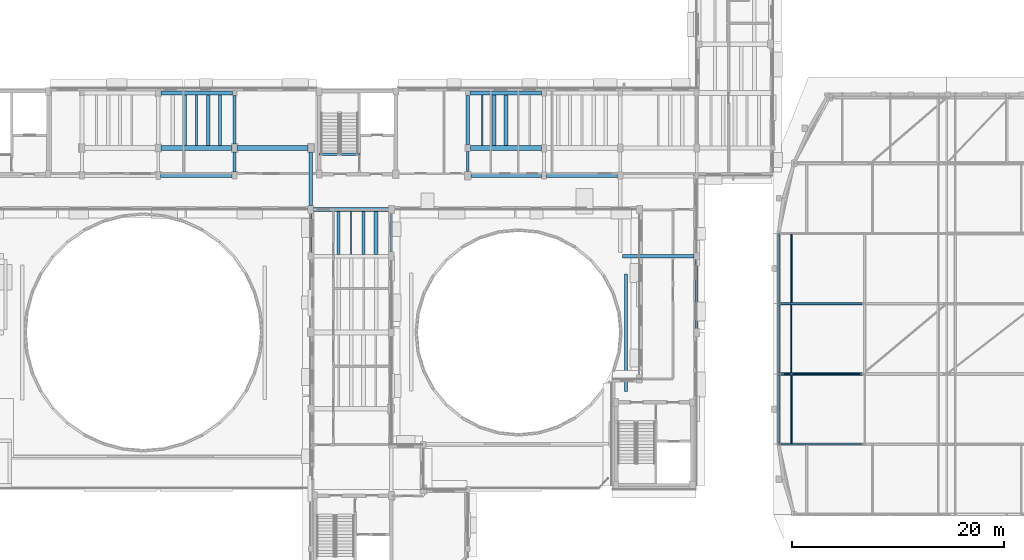
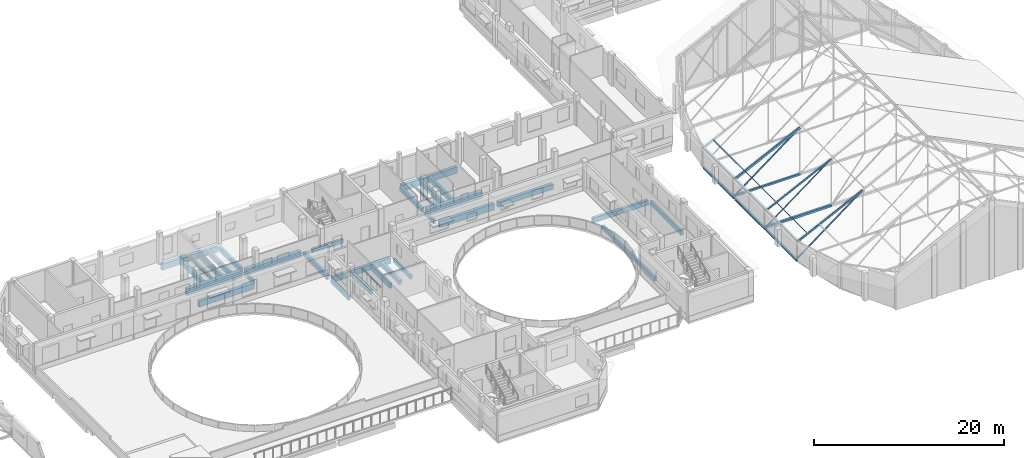
# One storey, part 25 of 78: 34 beams, 14 members.
"""IFC4 building model written with IfcOpenShell, lengths in metres."""

from ifc_helpers import new_model, si_unit, direction, frame, origin, origin_2d, place, context, subcontext, project, spatial, rectangle, hollow_rectangle, i_section, extrude, material, material_profile, profile_set, type_object, element, save


model = new_model("IFC4")

# Units and contexts
model_context = context("Model", 3, precision=1e-05, world=origin(), true_north=direction((0.0, 1.0)))
body_context = subcontext(model_context, "Body", "Model", "MODEL_VIEW")
ifc_project = project(units=[si_unit("LENGTHUNIT", "METRE"), si_unit("AREAUNIT", "SQUARE_METRE"), si_unit("VOLUMEUNIT", "CUBIC_METRE"), si_unit("PLANEANGLEUNIT", "RADIAN"), si_unit("MASSUNIT", "GRAM", prefix="KILO")], contexts=[model_context])

# Site, building, storey
site_placement = place(None, origin())
site = spatial("IfcSite", under=ifc_project, at=site_placement, CompositionType="ELEMENT")
building_placement = place(site_placement, origin())
building = spatial("IfcBuilding", under=site, at=building_placement, Name="Kelanivale Promenade Academy", CompositionType="ELEMENT")
storey_placement = place(building_placement, frame((0.0, 0.0, 16.199951171875)))
storey = spatial("IfcBuildingStorey", under=building, at=storey_placement, Name="L04", CompositionType="ELEMENT", Elevation=16.199951171875)

# Beams
ifc_material_1 = material(Name="Concrete C35/45", Category="concrete")
ifc_material_profile_1 = material_profile(ifc_material_1, rectangle(XDim=0.39990234375, YDim=0.64990234375, at=origin_2d()), Name="RC-BM 400x650")
ifc_profile_set_1 = profile_set([ifc_material_profile_1], Name="Concrete C35/45")
beam_type_1 = type_object("IfcBeamType", Name="BM-01 RC-BM 400x650", PredefinedType="BEAM", material=ifc_profile_set_1)
beam_1_placement = place(storey_placement, frame((101.445068359375, 71.60009765625, -0.544921875), z_axis=(1.0, 0.0, 0.0), x_axis=(0.0, 1.0, 0.0)))
element("IfcBeam", 1, at=beam_1_placement, inside=storey, type_object=beam_type_1, Name="L04 girder BM-01", PredefinedType="BEAM", context=body_context, shape_type="SweptSolid", body=[
    extrude(rectangle(XDim=0.39990234375, YDim=0.64990234375, at=origin_2d()), origin(), (0.0, 0.0, 1.0), 6.7099609375),
])
ifc_material_profile_2 = material_profile(ifc_material_1, rectangle(XDim=0.449951171875, YDim=0.85009765625, at=origin_2d()), Name="RC-BM 450x850")
ifc_profile_set_2 = profile_set([ifc_material_profile_2], Name="Concrete C35/45")
beam_type_2 = type_object("IfcBeamType", Name="BM-05 RC-BM 450x850", PredefinedType="BEAM", material=ifc_profile_set_2)
beam_2_placement = place(storey_placement, frame((65.044921875, 74.199951171875, -0.64501953125), z_axis=(1.0, 0.0, 0.0), x_axis=(0.0, 1.0, 0.0)))
element("IfcBeam", 2, at=beam_2_placement, inside=storey, type_object=beam_type_2, Name="L04 girder BM-05", PredefinedType="BEAM", context=body_context, shape_type="SweptSolid", body=[
    extrude(rectangle(XDim=0.449951171875, YDim=0.85009765625, at=origin_2d()), origin(), (0.0, 0.0, 1.0), 6.7099609375),
])
ifc_material_profile_3 = material_profile(ifc_material_1, rectangle(XDim=0.5, YDim=0.75, at=origin_2d()), Name="RC-BM 500x750")
ifc_profile_set_3 = profile_set([ifc_material_profile_3], Name="Concrete C35/45")
beam_type_3 = type_object("IfcBeamType", Name="BM-06 RC-BM 500x750", PredefinedType="BEAM", material=ifc_profile_set_3)
beam_3_placement = place(storey_placement, frame((72.2451171875, 74.199951171875, -0.594970703125), z_axis=(1.0, 0.0, 0.0), x_axis=(0.0, 1.0, 0.0)))
element("IfcBeam", 3, at=beam_3_placement, inside=storey, type_object=beam_type_3, Name="L04 girder BM-06", PredefinedType="BEAM", context=body_context, shape_type="SweptSolid", body=[
    extrude(rectangle(XDim=0.5, YDim=0.75, at=origin_2d()), origin(), (0.0, 0.0, 1.0), 6.684814453125),
])
ifc_material_profile_4 = material_profile(ifc_material_1, rectangle(XDim=0.5, YDim=0.85009765625, at=origin_2d()), Name="RC-BM 500x850")
ifc_profile_set_4 = profile_set([ifc_material_profile_4], Name="Concrete C35/45")
beam_type_4 = type_object("IfcBeamType", Name="BM-07 RC-BM 500x850", PredefinedType="BEAM", material=ifc_profile_set_4)
beam_4_placement = place(storey_placement, frame((94.2451171875, 74.199951171875, -0.64501953125), z_axis=(1.0, 0.0, 0.0), x_axis=(0.0, 1.0, 0.0)))
element("IfcBeam", 4, at=beam_4_placement, inside=storey, type_object=beam_type_4, Name="L04 girder BM-07", PredefinedType="BEAM", context=body_context, shape_type="SweptSolid", body=[
    extrude(rectangle(XDim=0.5, YDim=0.85009765625, at=origin_2d()), origin(), (0.0, 0.0, 1.0), 6.73486328125),
])
ifc_material_profile_5 = material_profile(ifc_material_1, rectangle(XDim=0.35009765625, YDim=0.60009765625, at=origin_2d()), Name="RC-BM 350x600")
ifc_profile_set_5 = profile_set([ifc_material_profile_5], Name="Concrete C35/45")
beam_type_5 = type_object("IfcBeamType", Name="BM-09 RC-BM 350x600", PredefinedType="BEAM", material=ifc_profile_set_5)
beam_5_placement = place(storey_placement, frame((108.6201171875, 64.0, -0.52001953125), z_axis=(1.0, 0.0, 0.0), x_axis=(0.0, 1.0, 0.0)))
element("IfcBeam", 5, at=beam_5_placement, inside=storey, type_object=beam_type_5, Name="L04 girder BM-09", PredefinedType="BEAM", context=body_context, shape_type="SweptSolid", body=[
    extrude(rectangle(XDim=0.35009765625, YDim=0.60009765625, at=origin_2d()), origin(), (0.0, 0.0, 1.0), 6.73486328125),
])
ifc_material_profile_6 = material_profile(ifc_material_1, rectangle(XDim=0.35009765625, YDim=0.699951171875, at=origin_2d()), Name="RC-BM 350x700")
ifc_profile_set_6 = profile_set([ifc_material_profile_6], Name="Concrete C35/45")
beam_type_6 = type_object("IfcBeamType", Name="BM-11 RC-BM 350x700", PredefinedType="BEAM", material=ifc_profile_set_6)
beam_6_placement = place(storey_placement, frame((79.445068359375, 68.39990234375, -0.570068359375), z_axis=(1.0, 0.0, 0.0), x_axis=(0.0, 1.0, 0.0)))
element("IfcBeam", 6, at=beam_6_placement, inside=storey, type_object=beam_type_6, Name="L04 girder BM-11", PredefinedType="BEAM", context=body_context, shape_type="SweptSolid", body=[
    extrude(rectangle(XDim=0.35009765625, YDim=0.699951171875, at=origin_2d()), origin(), (0.0, 0.0, 1.0), 7.0849609375),
])
ifc_material_profile_7 = material_profile(ifc_material_1, rectangle(XDim=0.39990234375, YDim=0.75, at=origin_2d()), Name="RC-BM 400x750")
ifc_profile_set_7 = profile_set([ifc_material_profile_7], Name="Concrete C35/45")
beam_type_7 = type_object("IfcBeamType", Name="BM-13 RC-BM 400x750", PredefinedType="BEAM", material=ifc_profile_set_7)
beam_7_placement = place(storey_placement, frame((65.02001953125, 71.60009765625, -0.594970703125), z_axis=(1.0, 0.0, 0.0), x_axis=(0.0, 1.0, 0.0)))
element("IfcBeam", 7, at=beam_7_placement, inside=storey, type_object=beam_type_7, Name="L04 girder BM-13", PredefinedType="BEAM", context=body_context, shape_type="SweptSolid", body=[
    extrude(rectangle(XDim=0.39990234375, YDim=0.75, at=origin_2d()), origin(), (0.0, 0.0, 1.0), 6.73486328125),
])
beam_8_placement = place(storey_placement, frame((65.044921875, 79.39990234375, -0.594970703125), z_axis=(1.0, 0.0, 0.0), x_axis=(0.0, 1.0, 0.0)))
element("IfcBeam", 8, at=beam_8_placement, inside=storey, type_object=beam_type_7, Name="L04 girder BM-13", PredefinedType="BEAM", context=body_context, shape_type="SweptSolid", body=[
    extrude(rectangle(XDim=0.39990234375, YDim=0.75, at=origin_2d()), origin(), (0.0, 0.0, 1.0), 6.78515625),
])
ifc_material_profile_8 = material_profile(ifc_material_1, rectangle(XDim=0.39990234375, YDim=0.800048828125, at=origin_2d()), Name="RC-BM 400x800")
ifc_profile_set_8 = profile_set([ifc_material_profile_8], Name="Concrete C35/45")
beam_type_8 = type_object("IfcBeamType", Name="BM-14 RC-BM 400x800", PredefinedType="BEAM", material=ifc_profile_set_8)
beam_9_placement = place(storey_placement, frame((94.294921875, 71.60009765625, -0.619873046875), z_axis=(1.0, 0.0, 0.0), x_axis=(0.0, 1.0, 0.0)))
element("IfcBeam", 9, at=beam_9_placement, inside=storey, type_object=beam_type_8, Name="L04 girder BM-14", PredefinedType="BEAM", context=body_context, shape_type="SweptSolid", body=[
    extrude(rectangle(XDim=0.39990234375, YDim=0.800048828125, at=origin_2d()), origin(), (0.0, 0.0, 1.0), 6.66015625),
])
beam_10_placement = place(storey_placement, frame((94.195068359375, 79.39990234375, -0.619873046875), z_axis=(1.0, 0.0, 0.0), x_axis=(0.0, 1.0, 0.0)))
element("IfcBeam", 10, at=beam_10_placement, inside=storey, type_object=beam_type_8, Name="L04 girder BM-14", PredefinedType="BEAM", context=body_context, shape_type="SweptSolid", body=[
    extrude(rectangle(XDim=0.39990234375, YDim=0.800048828125, at=origin_2d()), origin(), (0.0, 0.0, 1.0), 6.784912109375),
])
ifc_material_profile_9 = material_profile(ifc_material_1, rectangle(XDim=0.300048828125, YDim=0.5, at=origin_2d()), Name="RC-BM 300x500")
ifc_profile_set_9 = profile_set([ifc_material_profile_9], Name="Concrete C35/45")
beam_type_9 = type_object("IfcBeamType", Name="JS-01 RC-BM 300x500", PredefinedType="JOIST", material=ifc_profile_set_9)
beam_11_placement = place(storey_placement, frame((94.0, 74.52001953125, -0.469970703125), z_axis=(0.0, 1.0, 0.0), x_axis=(-1.0, 0.0, 0.0)))
element("IfcBeam", 11, at=beam_11_placement, inside=storey, type_object=beam_type_9, Name="L04 beam JS-01", PredefinedType="JOIST", context=body_context, shape_type="SweptSolid", body=[
    extrude(rectangle(XDim=0.300048828125, YDim=0.5, at=origin_2d()), origin(), (0.0, 0.0, 1.0), 4.635009765625),
])
beam_12_placement = place(storey_placement, frame((108.931884765625, 51.2451171875, -0.489990234375), z_axis=(0.0, 1.0, 0.0), x_axis=(-1.0, 0.0, 0.0)))
element("IfcBeam", 12, at=beam_12_placement, inside=storey, type_object=beam_type_9, Name="L04 beam JS-01", PredefinedType="JOIST", context=body_context, shape_type="SweptSolid", body=[
    extrude(rectangle(XDim=0.300048828125, YDim=0.5, at=origin_2d()), origin(), (0.0, 0.0, 1.0), 11.0849609375),
])
ifc_material_profile_10 = material_profile(ifc_material_1, rectangle(XDim=0.300048828125, YDim=0.550048828125, at=origin_2d()), Name="RC-BM 300x550")
ifc_profile_set_10 = profile_set([ifc_material_profile_10], Name="Concrete C35/45")
beam_type_10 = type_object("IfcBeamType", Name="JS-02 RC-BM 300x550", PredefinedType="JOIST", material=ifc_profile_set_10)
beam_13_placement = place(storey_placement, frame((115.60009765625, 57.169921875, -0.494873046875), z_axis=(0.0, 1.0, 0.0), x_axis=(-1.0, 0.0, 0.0)))
element("IfcBeam", 13, at=beam_13_placement, inside=storey, type_object=beam_type_10, Name="L04 beam JS-02", PredefinedType="JOIST", context=body_context, shape_type="SweptSolid", body=[
    extrude(rectangle(XDim=0.300048828125, YDim=0.550048828125, at=origin_2d()), origin(), (0.0, 0.0, 1.0), 6.53515625),
])
beam_14_placement = place(storey_placement, frame((69.51806640625, 74.425048828125, -0.494873046875), z_axis=(0.0, 1.0, 0.0), x_axis=(-1.0, 0.0, 0.0)))
element("IfcBeam", 14, at=beam_14_placement, inside=storey, type_object=beam_type_10, Name="L04 secondary sub-beam JS-02", PredefinedType="JOIST", context=body_context, shape_type="SweptSolid", body=[
    extrude(rectangle(XDim=0.300048828125, YDim=0.550048828125, at=origin_2d()), origin(), (0.0, 0.0, 1.0), 4.77490234375),
])
ifc_material_profile_11 = material_profile(ifc_material_1, rectangle(XDim=0.300048828125, YDim=0.60009765625, at=origin_2d()), Name="RC-BM 300x600")
ifc_profile_set_11 = profile_set([ifc_material_profile_11], Name="Concrete C35/45")
beam_type_11 = type_object("IfcBeamType", Name="JS-03 RC-BM 300x600", PredefinedType="JOIST", material=ifc_profile_set_11)
beam_15_placement = place(storey_placement, frame((81.806884765625, 64.175048828125, -0.52001953125), z_axis=(0.0, 1.0, 0.0), x_axis=(-1.0, 0.0, 0.0)))
element("IfcBeam", 15, at=beam_15_placement, inside=storey, type_object=beam_type_11, Name="L04 secondary sub-beam JS-03", PredefinedType="JOIST", context=body_context, shape_type="SweptSolid", body=[
    extrude(rectangle(XDim=0.300048828125, YDim=0.60009765625, at=origin_2d()), origin(), (0.0, 0.0, 1.0), 4.050048828125),
])
beam_16_placement = place(storey_placement, frame((70.636962890625, 74.425048828125, -0.52001953125), z_axis=(0.0, 1.0, 0.0), x_axis=(-1.0, 0.0, 0.0)))
element("IfcBeam", 16, at=beam_16_placement, inside=storey, type_object=beam_type_11, Name="L04 secondary sub-beam JS-03", PredefinedType="JOIST", context=body_context, shape_type="SweptSolid", body=[
    extrude(rectangle(XDim=0.300048828125, YDim=0.60009765625, at=origin_2d()), origin(), (0.0, 0.0, 1.0), 4.77490234375),
])
ifc_material_profile_12 = material_profile(ifc_material_1, rectangle(XDim=0.320068359375, YDim=0.550048828125, at=origin_2d()), Name="RC-BM 320x550")
ifc_profile_set_12 = profile_set([ifc_material_profile_12], Name="Concrete C35/45")
beam_type_12 = type_object("IfcBeamType", Name="JS-04 RC-BM 320x550", PredefinedType="JOIST", material=ifc_profile_set_12)
beam_17_placement = place(storey_placement, frame((72.0, 74.570068359375, -0.494873046875), z_axis=(0.0, 1.0, 0.0), x_axis=(-1.0, 0.0, 0.0)))
element("IfcBeam", 17, at=beam_17_placement, inside=storey, type_object=beam_type_12, Name="L04 beam JS-04", PredefinedType="JOIST", context=body_context, shape_type="SweptSolid", body=[
    extrude(rectangle(XDim=0.320068359375, YDim=0.550048828125, at=origin_2d()), origin(), (0.0, 0.0, 1.0), 4.5849609375),
])
beam_18_placement = place(storey_placement, frame((79.199951171875, 68.77001953125, -0.494873046875), z_axis=(0.0, 1.0, 0.0), x_axis=(-1.0, 0.0, 0.0)))
element("IfcBeam", 18, at=beam_18_placement, inside=storey, type_object=beam_type_12, Name="L04 beam JS-04", PredefinedType="JOIST", context=body_context, shape_type="SweptSolid", body=[
    extrude(rectangle(XDim=0.320068359375, YDim=0.550048828125, at=origin_2d()), origin(), (0.0, 0.0, 1.0), 5.06005859375),
])
ifc_material_profile_13 = material_profile(ifc_material_1, rectangle(XDim=0.320068359375, YDim=0.60009765625, at=origin_2d()), Name="RC-BM 320x600")
ifc_profile_set_13 = profile_set([ifc_material_profile_13], Name="Concrete C35/45")
beam_type_13 = type_object("IfcBeamType", Name="JS-05 RC-BM 320x600", PredefinedType="JOIST", material=ifc_profile_set_13)
beam_19_placement = place(storey_placement, frame((84.16796875, 64.175048828125, -0.52001953125), z_axis=(0.0, 1.0, 0.0), x_axis=(-1.0, 0.0, 0.0)))
element("IfcBeam", 19, at=beam_19_placement, inside=storey, type_object=beam_type_13, Name="L04 secondary sub-beam JS-05", PredefinedType="JOIST", context=body_context, shape_type="SweptSolid", body=[
    extrude(rectangle(XDim=0.320068359375, YDim=0.60009765625, at=origin_2d()), origin(), (0.0, 0.0, 1.0), 4.050048828125),
])
beam_20_placement = place(storey_placement, frame((96.489990234375, 74.449951171875, -0.52001953125), z_axis=(0.0, 1.0, 0.0), x_axis=(-1.0, 0.0, 0.0)))
element("IfcBeam", 20, at=beam_20_placement, inside=storey, type_object=beam_type_13, Name="L04 secondary sub-beam JS-05", PredefinedType="JOIST", context=body_context, shape_type="SweptSolid", body=[
    extrude(rectangle(XDim=0.320068359375, YDim=0.60009765625, at=origin_2d()), origin(), (0.0, 0.0, 1.0), 4.75),
])
ifc_material_profile_14 = material_profile(ifc_material_1, rectangle(XDim=0.35009765625, YDim=0.550048828125, at=origin_2d()), Name="RC-BM 350x550")
ifc_profile_set_14 = profile_set([ifc_material_profile_14], Name="Concrete C35/45")
beam_type_14 = type_object("IfcBeamType", Name="JS-06 RC-BM 350x550", PredefinedType="JOIST", material=ifc_profile_set_14)
beam_21_placement = place(storey_placement, frame((85.34912109375, 64.175048828125, -0.494873046875), z_axis=(0.0, 1.0, 0.0), x_axis=(-1.0, 0.0, 0.0)))
element("IfcBeam", 21, at=beam_21_placement, inside=storey, type_object=beam_type_14, Name="L04 secondary sub-beam JS-06", PredefinedType="JOIST", context=body_context, shape_type="SweptSolid", body=[
    extrude(rectangle(XDim=0.35009765625, YDim=0.550048828125, at=origin_2d()), origin(), (0.0, 0.0, 1.0), 4.050048828125),
])
beam_22_placement = place(storey_placement, frame((67.281982421875, 74.425048828125, -0.494873046875), z_axis=(0.0, 1.0, 0.0), x_axis=(-1.0, 0.0, 0.0)))
element("IfcBeam", 22, at=beam_22_placement, inside=storey, type_object=beam_type_14, Name="L04 secondary sub-beam JS-06", PredefinedType="JOIST", context=body_context, shape_type="SweptSolid", body=[
    extrude(rectangle(XDim=0.35009765625, YDim=0.550048828125, at=origin_2d()), origin(), (0.0, 0.0, 1.0), 4.77490234375),
])
beam_23_placement = place(storey_placement, frame((97.613037109375, 74.449951171875, -0.494873046875), z_axis=(0.0, 1.0, 0.0), x_axis=(-1.0, 0.0, 0.0)))
element("IfcBeam", 23, at=beam_23_placement, inside=storey, type_object=beam_type_14, Name="L04 secondary sub-beam JS-06", PredefinedType="JOIST", context=body_context, shape_type="SweptSolid", body=[
    extrude(rectangle(XDim=0.35009765625, YDim=0.550048828125, at=origin_2d()), origin(), (0.0, 0.0, 1.0), 4.75),
])
ifc_material_profile_15 = material_profile(ifc_material_1, rectangle(XDim=0.25, YDim=0.5, at=origin_2d()), Name="RC-BM 250x500")
ifc_profile_set_15 = profile_set([ifc_material_profile_15], Name="Concrete C35/45")
beam_type_15 = type_object("IfcBeamType", Name="LN-02 RC-BM 250x500", PredefinedType="LINTEL", material=ifc_profile_set_15)
beam_24_placement = place(storey_placement, frame((72.0, 71.919921875, -0.469970703125), z_axis=(0.0, 1.0, 0.0), x_axis=(-1.0, 0.0, 0.0)))
element("IfcBeam", 24, at=beam_24_placement, inside=storey, type_object=beam_type_15, Name="L04 beam LN-02", PredefinedType="LINTEL", context=body_context, shape_type="SweptSolid", body=[
    extrude(rectangle(XDim=0.25, YDim=0.5, at=origin_2d()), origin(), (0.0, 0.0, 1.0), 1.91015625),
])
beam_25_placement = place(storey_placement, frame((79.199951171875, 64.320068359375, -0.469970703125), z_axis=(0.0, 1.0, 0.0), x_axis=(-1.0, 0.0, 0.0)))
element("IfcBeam", 25, at=beam_25_placement, inside=storey, type_object=beam_type_15, Name="L04 beam LN-02", PredefinedType="LINTEL", context=body_context, shape_type="SweptSolid", body=[
    extrude(rectangle(XDim=0.25, YDim=0.5, at=origin_2d()), origin(), (0.0, 0.0, 1.0), 3.7099609375),
])
beam_26_placement = place(storey_placement, frame((86.800048828125, 64.3701171875, -0.469970703125), z_axis=(0.0, 1.0, 0.0), x_axis=(-1.0, 0.0, 0.0)))
element("IfcBeam", 26, at=beam_26_placement, inside=storey, type_object=beam_type_15, Name="L04 beam LN-02", PredefinedType="LINTEL", context=body_context, shape_type="SweptSolid", body=[
    extrude(rectangle(XDim=0.25, YDim=0.5, at=origin_2d()), origin(), (0.0, 0.0, 1.0), 3.659912109375),
])
beam_27_placement = place(storey_placement, frame((94.0, 71.9951171875, -0.469970703125), z_axis=(0.0, 1.0, 0.0), x_axis=(-1.0, 0.0, 0.0)))
element("IfcBeam", 27, at=beam_27_placement, inside=storey, type_object=beam_type_15, Name="L04 beam LN-02", PredefinedType="LINTEL", context=body_context, shape_type="SweptSolid", body=[
    extrude(rectangle(XDim=0.25, YDim=0.5, at=origin_2d()), origin(), (0.0, 0.0, 1.0), 1.884765625),
])
beam_28_placement = place(storey_placement, frame((80.0, 73.60498046875, -0.25), z_axis=(1.0, 0.0, 0.0), x_axis=(0.0, 1.0, 0.0)))
element("IfcBeam", 28, at=beam_28_placement, inside=storey, type_object=beam_type_15, Name="CORE-2 stair arrival trimmer beam L04", PredefinedType="LINTEL", context=body_context, shape_type="SweptSolid", body=[
    extrude(rectangle(XDim=0.25, YDim=0.5, at=origin_2d()), origin(), (0.0, 0.0, 1.0), 3.77490234375),
])

# Members
ifc_material_2 = material(Name="Steel S355", Category="steel")
ifc_material_profile_16 = material_profile(ifc_material_2, i_section(OverallWidth=0.13330078125, OverallDepth=0.203125, WebThickness=0.005615234375, FlangeThickness=0.0078125, FilletRadius=0.007568359375, at=origin_2d()), Name="UB 203x133x25")
ifc_profile_set_16 = profile_set([ifc_material_profile_16], Name="Steel S355")
member_type_1 = type_object("IfcMemberType", Name="PR-01 UB 203x133x25", PredefinedType="PURLIN", material=ifc_profile_set_16)
member_1_placement = place(storey_placement, frame((123.35009765625, 46.257080078125, 2.345947265625), z_axis=(0.0, 1.0, 0.0), x_axis=(-0.898564392509, 0.0, -0.438841694139)))
element("IfcMember", 29, at=member_1_placement, inside=storey, type_object=member_type_1, Name="Assembly Hall Arc Pavilion roof tie purlin PR-01", PredefinedType="PURLIN", context=body_context, shape_type="SweptSolid", body=[
    extrude(i_section(OverallWidth=0.13330078125, OverallDepth=0.203125, WebThickness=0.005615234375, FlangeThickness=0.0078125, FilletRadius=0.007568359375, at=origin_2d()), origin(), (0.0, 0.0, 1.0), 6.62890625),
])
member_2_placement = place(storey_placement, frame((123.35009765625, 52.885986328125, 2.345947265625), z_axis=(0.0, 1.0, 0.0), x_axis=(-0.898564392509, 0.0, -0.438841694139)))
element("IfcMember", 30, at=member_2_placement, inside=storey, type_object=member_type_1, Name="Assembly Hall Arc Pavilion roof tie purlin PR-01", PredefinedType="PURLIN", context=body_context, shape_type="SweptSolid", body=[
    extrude(i_section(OverallWidth=0.13330078125, OverallDepth=0.203125, WebThickness=0.005615234375, FlangeThickness=0.0078125, FilletRadius=0.007568359375, at=origin_2d()), origin(), (0.0, 0.0, 1.0), 6.6279296875),
])
for number, where, z_axis, x_axis, name in (
    (31, (123.35009765625, 59.513916015625, 2.345947265625), (0.0, 1.0, 0.0), (-0.898564392509, 0.0, -0.438841694139), "Assembly Hall Arc Pavilion roof tie purlin PR-01"),
    (32, (124.550048828125, 59.513916015625, 2.948974609375), (0.0, 1.0, 0.0), (-0.898564392509, 0.0, -0.438841694139), "Assembly Hall Arc Pavilion roof purlin PR-01"),
):
    element("IfcMember", number, at=place(storey_placement, frame(where, z_axis=z_axis, x_axis=x_axis)), inside=storey, type_object=member_type_1, Name=name, PredefinedType="PURLIN", context=body_context, shape_type="SweptSolid", body=[
        extrude(i_section(OverallWidth=0.13330078125, OverallDepth=0.203125, WebThickness=0.005615234375, FlangeThickness=0.0078125, FilletRadius=0.007568359375, at=origin_2d()), origin(), (0.0, 0.0, 1.0), 6.629150390625),
    ])
ifc_material_profile_17 = material_profile(ifc_material_2, hollow_rectangle(XDim=0.10009765625, YDim=0.199951171875, WallThickness=0.008056640625, InnerFilletRadius=0.008056640625, OuterFilletRadius=0.01611328125, at=origin_2d()), Name="RHS 200x100x8.0")
ifc_profile_set_17 = profile_set([ifc_material_profile_17], Name="Steel S355")
member_type_2 = type_object("IfcMemberType", Name="PR-03 RHS 200x100x8.0", PredefinedType="PURLIN", material=ifc_profile_set_17)
member_3_placement = place(storey_placement, frame((124.550048828125, 46.257080078125, 2.950927734375), z_axis=(0.0, 1.0, 0.0), x_axis=(-0.898564392509, 0.0, -0.438841694139)))
element("IfcMember", 33, at=member_3_placement, inside=storey, type_object=member_type_2, Name="Assembly Hall Arc Pavilion roof purlin PR-03", PredefinedType="PURLIN", context=body_context, shape_type="SweptSolid", body=[
    extrude(hollow_rectangle(XDim=0.10009765625, YDim=0.199951171875, WallThickness=0.008056640625, InnerFilletRadius=0.008056640625, OuterFilletRadius=0.01611328125, at=origin_2d()), origin(), (0.0, 0.0, 1.0), 6.62890625),
])
ifc_material_profile_18 = material_profile(ifc_material_2, hollow_rectangle(XDim=0.10009765625, YDim=0.14990234375, WallThickness=0.008056640625, InnerFilletRadius=0.008056640625, OuterFilletRadius=0.01611328125, at=origin_2d()), Name="RHS 150x100x8.0")
ifc_profile_set_18 = profile_set([ifc_material_profile_18], Name="Steel S355")
member_type_3 = type_object("IfcMemberType", Name="PR-04 RHS 150x100x8.0", PredefinedType="PURLIN", material=ifc_profile_set_18)
member_4_placement = place(storey_placement, frame((124.550048828125, 52.885986328125, 2.97900390625), z_axis=(0.0, 1.0, 0.0), x_axis=(-0.898564392509, 0.0, -0.438841694139)))
element("IfcMember", 34, at=member_4_placement, inside=storey, type_object=member_type_3, Name="Assembly Hall Arc Pavilion roof purlin PR-04", PredefinedType="PURLIN", context=body_context, shape_type="SweptSolid", body=[
    extrude(hollow_rectangle(XDim=0.10009765625, YDim=0.14990234375, WallThickness=0.008056640625, InnerFilletRadius=0.008056640625, OuterFilletRadius=0.01611328125, at=origin_2d()), origin(), (0.0, 0.0, 1.0), 6.6279296875),
])

# Beams
ifc_material_profile_19 = material_profile(ifc_material_2, i_section(OverallWidth=0.13330078125, OverallDepth=0.203125, WebThickness=0.005615234375, FlangeThickness=0.0078125, FilletRadius=0.007568359375, at=origin_2d()), Name="UB 203x133x25")
ifc_profile_set_19 = profile_set([ifc_material_profile_19], Name="Steel S355")
beam_type_16 = type_object("IfcBeamType", Name="SB-01 UB 203x133x25", PredefinedType="JOIST", material=ifc_profile_set_19)
beam_29_placement = place(storey_placement, frame((82.987060546875, 64.175048828125, -0.322021484375), z_axis=(0.0, 1.0, 0.0), x_axis=(-1.0, 0.0, 0.0)))
element("IfcBeam", 35, at=beam_29_placement, inside=storey, type_object=beam_type_16, Name="L04 secondary sub-beam SB-01", PredefinedType="JOIST", context=body_context, shape_type="SweptSolid", body=[
    extrude(i_section(OverallWidth=0.13330078125, OverallDepth=0.203125, WebThickness=0.005615234375, FlangeThickness=0.0078125, FilletRadius=0.007568359375, at=origin_2d()), origin(), (0.0, 0.0, 1.0), 4.050048828125),
])
ifc_material_profile_20 = material_profile(ifc_material_2, i_section(OverallWidth=0.1650390625, OverallDepth=0.303466796875, WebThickness=0.006103515625, FlangeThickness=0.01025390625, FilletRadius=0.0087890625, at=origin_2d()), Name="UB 305x165x40")
ifc_profile_set_20 = profile_set([ifc_material_profile_20], Name="Steel S355")
beam_type_17 = type_object("IfcBeamType", Name="SB-03 UB 305x165x40", PredefinedType="BEAM", material=ifc_profile_set_20)
beam_30_placement = place(storey_placement, frame((95.367919921875, 74.449951171875, -0.3720703125), z_axis=(0.0, 1.0, 0.0), x_axis=(-1.0, 0.0, 0.0)))
element("IfcBeam", 36, at=beam_30_placement, inside=storey, type_object=beam_type_17, Name="L04 secondary sub-beam SB-03", PredefinedType="BEAM", context=body_context, shape_type="SweptSolid", body=[
    extrude(i_section(OverallWidth=0.1650390625, OverallDepth=0.303466796875, WebThickness=0.006103515625, FlangeThickness=0.01025390625, FilletRadius=0.0087890625, at=origin_2d()), origin(), (0.0, 0.0, 1.0), 4.75),
])
ifc_material_profile_21 = material_profile(ifc_material_2, i_section(OverallWidth=0.177978515625, OverallDepth=0.406494140625, WebThickness=0.0078125, FlangeThickness=0.0126953125, FilletRadius=0.01025390625, at=origin_2d()), Name="UB 406x178x60")
ifc_profile_set_21 = profile_set([ifc_material_profile_21], Name="Steel S355")
beam_type_18 = type_object("IfcBeamType", Name="SB-05 UB 406x178x60", PredefinedType="BEAM", material=ifc_profile_set_21)
beam_31_placement = place(storey_placement, frame((68.39990234375, 74.425048828125, -0.4228515625), z_axis=(0.0, 1.0, 0.0), x_axis=(-1.0, 0.0, 0.0)))
element("IfcBeam", 37, at=beam_31_placement, inside=storey, type_object=beam_type_18, Name="L04 secondary sub-beam SB-05", PredefinedType="BEAM", context=body_context, shape_type="SweptSolid", body=[
    extrude(i_section(OverallWidth=0.177978515625, OverallDepth=0.406494140625, WebThickness=0.0078125, FlangeThickness=0.0126953125, FilletRadius=0.01025390625, at=origin_2d()), origin(), (0.0, 0.0, 1.0), 4.77490234375),
])
ifc_material_profile_22 = material_profile(ifc_material_2, hollow_rectangle(XDim=0.199951171875, YDim=0.300048828125, WallThickness=0.012451171875, InnerFilletRadius=0.012451171875, OuterFilletRadius=0.02490234375, at=origin_2d()), Name="RHS 300x200x12.5")
ifc_profile_set_22 = profile_set([ifc_material_profile_22], Name="Steel S355")
beam_type_19 = type_object("IfcBeamType", Name="SB-14 RHS 300x200x12.5", PredefinedType="SPANDREL", material=ifc_profile_set_22)
beam_32_placement = place(storey_placement, frame((123.35009765625, 46.35693359375, -0.14990234375), z_axis=(0.0, 1.0, 0.0), x_axis=(-1.0, 0.0, 0.0)))
element("IfcBeam", 38, at=beam_32_placement, inside=storey, type_object=beam_type_19, Name="Assembly Hall Arc Pavilion inner kidney ring beam SB-14", PredefinedType="SPANDREL", context=body_context, shape_type="SweptSolid", body=[
    extrude(hollow_rectangle(XDim=0.199951171875, YDim=0.300048828125, WallThickness=0.012451171875, InnerFilletRadius=0.012451171875, OuterFilletRadius=0.02490234375, at=origin_2d()), origin(), (0.0, 0.0, 1.0), 6.428955078125),
])
beam_33_placement = place(storey_placement, frame((123.35009765625, 52.986083984375, -0.14990234375), z_axis=(0.0, 1.0, 0.0), x_axis=(-1.0, 0.0, 0.0)))
element("IfcBeam", 39, at=beam_33_placement, inside=storey, type_object=beam_type_19, Name="Assembly Hall Arc Pavilion inner kidney ring beam SB-14", PredefinedType="SPANDREL", context=body_context, shape_type="SweptSolid", body=[
    extrude(hollow_rectangle(XDim=0.199951171875, YDim=0.300048828125, WallThickness=0.012451171875, InnerFilletRadius=0.012451171875, OuterFilletRadius=0.02490234375, at=origin_2d()), origin(), (0.0, 0.0, 1.0), 6.427978515625),
])
beam_34_placement = place(storey_placement, frame((123.35009765625, 59.614013671875, -0.14990234375), z_axis=(0.0, 1.0, 0.0), x_axis=(-1.0, 0.0, 0.0)))
element("IfcBeam", 40, at=beam_34_placement, inside=storey, type_object=beam_type_19, Name="Assembly Hall Arc Pavilion inner kidney ring beam SB-14", PredefinedType="SPANDREL", context=body_context, shape_type="SweptSolid", body=[
    extrude(hollow_rectangle(XDim=0.199951171875, YDim=0.300048828125, WallThickness=0.012451171875, InnerFilletRadius=0.012451171875, OuterFilletRadius=0.02490234375, at=origin_2d()), origin(), (0.0, 0.0, 1.0), 6.428955078125),
])

# Members
ifc_material_profile_23 = material_profile(ifc_material_2, hollow_rectangle(XDim=0.300048828125, YDim=0.300048828125, WallThickness=0.01611328125, InnerFilletRadius=0.01611328125, OuterFilletRadius=0.031982421875, at=origin_2d()), Name="SHS 300x300x16.0")
ifc_profile_set_23 = profile_set([ifc_material_profile_23], Name="Steel S355")
member_type_4 = type_object("IfcMemberType", Name="TC-01 SHS 300x300x16.0", PredefinedType="CHORD", material=ifc_profile_set_23)
member_5_placement = place(storey_placement, frame((123.35009765625, 52.885986328125, 0.199951171875), z_axis=(1.0, 0.0, 0.0), x_axis=(0.0, 1.0, 0.0)))
element("IfcMember", 41, at=member_5_placement, inside=storey, type_object=member_type_4, Name="ROOF TRUSS AH-TR4 bottom chord 1", PredefinedType="CHORD", context=body_context, shape_type="SweptSolid", body=[
    extrude(hollow_rectangle(XDim=0.300048828125, YDim=0.300048828125, WallThickness=0.01611328125, InnerFilletRadius=0.01611328125, OuterFilletRadius=0.031982421875, at=origin_2d()), origin(), (0.0, 0.0, 1.0), 7.9248046875),
])
ifc_material_profile_24 = material_profile(ifc_material_2, hollow_rectangle(XDim=0.25, YDim=0.25, WallThickness=0.012451171875, InnerFilletRadius=0.012451171875, OuterFilletRadius=0.02490234375, at=origin_2d()), Name="SHS 250x250x12.5")
ifc_profile_set_24 = profile_set([ifc_material_profile_24], Name="Steel S355")
member_type_5 = type_object("IfcMemberType", Name="TC-02 SHS 250x250x12.5", PredefinedType="CHORD", material=ifc_profile_set_24)
member_6_placement = place(storey_placement, frame((123.35009765625, 59.513916015625, 0.199951171875), z_axis=(1.0, 0.0, 0.0), x_axis=(0.0, 1.0, 0.0)))
element("IfcMember", 42, at=member_6_placement, inside=storey, type_object=member_type_5, Name="ROOF TRUSS AH-TR5 bottom chord 1", PredefinedType="CHORD", context=body_context, shape_type="SweptSolid", body=[
    extrude(hollow_rectangle(XDim=0.25, YDim=0.25, WallThickness=0.012451171875, InnerFilletRadius=0.012451171875, OuterFilletRadius=0.02490234375, at=origin_2d()), origin(), (0.0, 0.0, 1.0), 7.9248046875),
])
ifc_material_profile_25 = material_profile(ifc_material_2, hollow_rectangle(XDim=0.179931640625, YDim=0.179931640625, WallThickness=0.010009765625, InnerFilletRadius=0.010009765625, OuterFilletRadius=0.02001953125, at=origin_2d()), Name="SHS 180x180x10.0")
ifc_profile_set_25 = profile_set([ifc_material_profile_25], Name="Steel S355")
member_type_6 = type_object("IfcMemberType", Name="TC-04 SHS 180x180x10.0", PredefinedType="CHORD", material=ifc_profile_set_25)
member_7_placement = place(storey_placement, frame((123.35009765625, 52.885986328125, 2.301025390625), z_axis=(0.898529943699, 0.0, 0.438912223885), x_axis=(0.0, 1.0, 0.0)))
element("IfcMember", 43, at=member_7_placement, inside=storey, type_object=member_type_6, Name="ROOF TRUSS AH-TR4 top chord 1", PredefinedType="CHORD", context=body_context, shape_type="SweptSolid", body=[
    extrude(hollow_rectangle(XDim=0.179931640625, YDim=0.179931640625, WallThickness=0.010009765625, InnerFilletRadius=0.010009765625, OuterFilletRadius=0.02001953125, at=origin_2d()), origin(), (0.0, 0.0, 1.0), 8.81982421875),
])
ifc_material_profile_26 = material_profile(ifc_material_2, hollow_rectangle(XDim=0.199951171875, YDim=0.300048828125, WallThickness=0.012451171875, InnerFilletRadius=0.012451171875, OuterFilletRadius=0.02490234375, at=origin_2d()), Name="RHS 300x200x12.5")
ifc_profile_set_26 = profile_set([ifc_material_profile_26], Name="Steel S355")
member_type_7 = type_object("IfcMemberType", Name="TC-05 RHS 300x200x12.5", PredefinedType="CHORD", material=ifc_profile_set_26)
member_8_placement = place(storey_placement, frame((123.35009765625, 59.513916015625, 2.301025390625), z_axis=(0.898529943699, 0.0, 0.438912223885), x_axis=(0.0, 1.0, 0.0)))
element("IfcMember", 44, at=member_8_placement, inside=storey, type_object=member_type_7, Name="ROOF TRUSS AH-TR5 top chord 1", PredefinedType="CHORD", context=body_context, shape_type="SweptSolid", body=[
    extrude(hollow_rectangle(XDim=0.199951171875, YDim=0.300048828125, WallThickness=0.012451171875, InnerFilletRadius=0.012451171875, OuterFilletRadius=0.02490234375, at=origin_2d()), origin(), (0.0, 0.0, 1.0), 8.81982421875),
])
ifc_material_profile_27 = material_profile(ifc_material_2, hollow_rectangle(XDim=0.14990234375, YDim=0.25, WallThickness=0.010009765625, InnerFilletRadius=0.010009765625, OuterFilletRadius=0.02001953125, at=origin_2d()), Name="RHS 250x150x10.0")
ifc_profile_set_27 = profile_set([ifc_material_profile_27], Name="Steel S355")
member_type_8 = type_object("IfcMemberType", Name="TC-06 RHS 250x150x10.0", PredefinedType="CHORD", material=ifc_profile_set_27)
member_9_placement = place(storey_placement, frame((123.35009765625, 46.257080078125, 2.301025390625), z_axis=(0.898529943699, 0.0, 0.438912223885), x_axis=(0.0, 1.0, 0.0)))
element("IfcMember", 45, at=member_9_placement, inside=storey, type_object=member_type_8, Name="ROOF TRUSS AH-TR3 top chord 1", PredefinedType="CHORD", context=body_context, shape_type="SweptSolid", body=[
    extrude(hollow_rectangle(XDim=0.14990234375, YDim=0.25, WallThickness=0.010009765625, InnerFilletRadius=0.010009765625, OuterFilletRadius=0.02001953125, at=origin_2d()), origin(), (0.0, 0.0, 1.0), 8.81982421875),
])
ifc_material_profile_28 = material_profile(ifc_material_2, hollow_rectangle(XDim=0.14990234375, YDim=0.14990234375, WallThickness=0.010009765625, InnerFilletRadius=0.010009765625, OuterFilletRadius=0.02001953125, at=origin_2d()), Name="SHS 150x150x10.0")
ifc_profile_set_28 = profile_set([ifc_material_profile_28], Name="Steel S355")
member_type_9 = type_object("IfcMemberType", Name="TD-01 SHS 150x150x10.0", PredefinedType="BRACE", material=ifc_profile_set_28)
for number, where, z_axis, x_axis, name in (
    (46, (123.35009765625, 46.257080078125, 0.199951171875), (0.798616169446, 0.0, 0.601840688139), (0.0, 1.0, 0.0), "ROOF TRUSS AH-TR3 web diagonal 1"),
    (47, (123.35009765625, 59.513916015625, 0.199951171875), (0.798616169446, 0.0, 0.601840688139), (0.0, 1.0, 0.0), "ROOF TRUSS AH-TR5 web diagonal 1"),
):
    element("IfcMember", number, at=place(storey_placement, frame(where, z_axis=z_axis, x_axis=x_axis)), inside=storey, type_object=member_type_9, Name=name, PredefinedType="BRACE", context=body_context, shape_type="SweptSolid", body=[
        extrude(hollow_rectangle(XDim=0.14990234375, YDim=0.14990234375, WallThickness=0.010009765625, InnerFilletRadius=0.010009765625, OuterFilletRadius=0.02001953125, at=origin_2d()), origin(), (0.0, 0.0, 1.0), 9.923095703125),
    ])
ifc_material_profile_29 = material_profile(ifc_material_2, hollow_rectangle(XDim=0.1201171875, YDim=0.1201171875, WallThickness=0.008056640625, InnerFilletRadius=0.008056640625, OuterFilletRadius=0.01611328125, at=origin_2d()), Name="SHS 120x120x8.0")
ifc_profile_set_29 = profile_set([ifc_material_profile_29], Name="Steel S355")
member_type_10 = type_object("IfcMemberType", Name="TD-02 SHS 120x120x8.0", PredefinedType="BRACE", material=ifc_profile_set_29)
member_10_placement = place(storey_placement, frame((123.35009765625, 52.885986328125, 0.199951171875), z_axis=(0.798616169446, 0.0, 0.601840688139), x_axis=(0.0, 1.0, 0.0)))
element("IfcMember", 48, at=member_10_placement, inside=storey, type_object=member_type_10, Name="ROOF TRUSS AH-TR4 web diagonal 1", PredefinedType="BRACE", context=body_context, shape_type="SweptSolid", body=[
    extrude(hollow_rectangle(XDim=0.1201171875, YDim=0.1201171875, WallThickness=0.008056640625, InnerFilletRadius=0.008056640625, OuterFilletRadius=0.01611328125, at=origin_2d()), origin(), (0.0, 0.0, 1.0), 9.923095703125),
])

save(model, "model.ifc")
